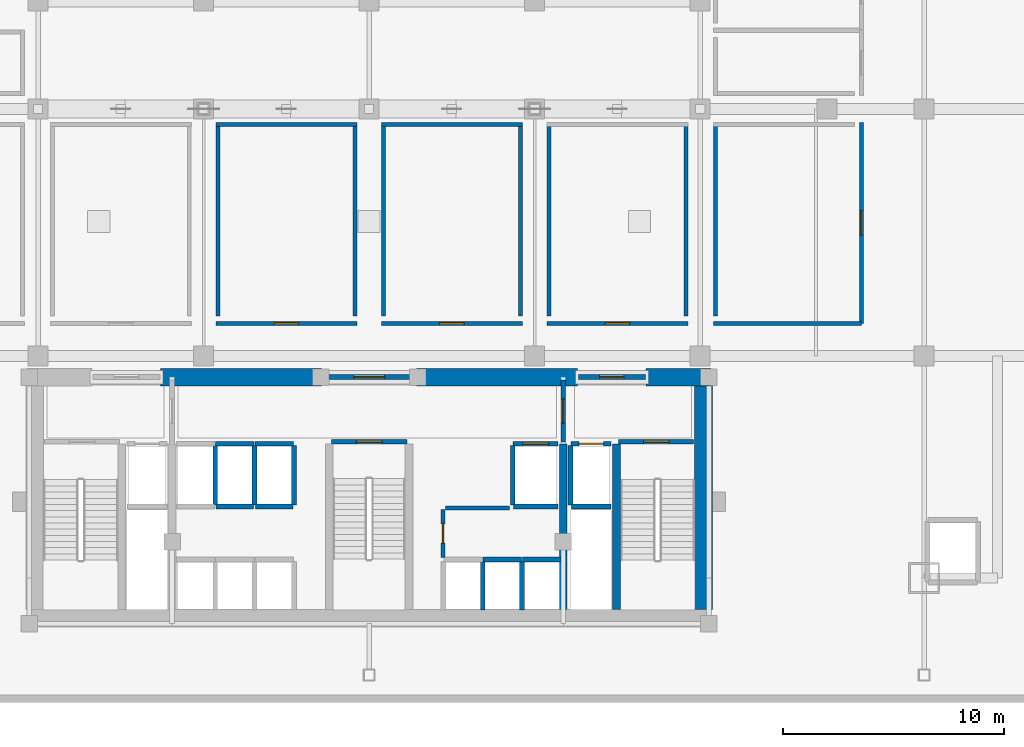
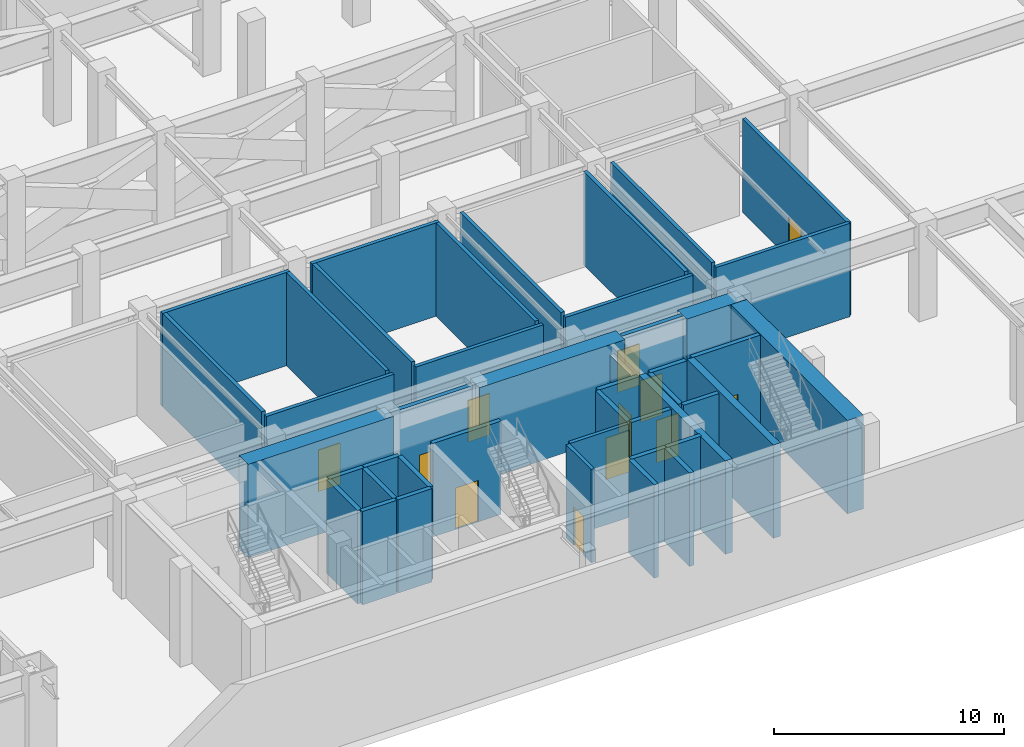
# One storey, part 9 of 14: 44 walls, 12 doors, 12 openings.
"""IFC4 building model written with IfcOpenShell, lengths in metres."""

from ifc_helpers import new_model, si_unit, direction, frame, frame_2d, origin, place, context, subcontext, project, spatial, rectangle, extrude, material, layer, layer_set, type_object, element, fill, save


model = new_model("IFC4")

# Units and contexts
model_context = context("Model", 3, precision=1e-05, world=origin(), true_north=direction((0.0, 1.0)))
body_context = subcontext(model_context, "Body", "Model", "MODEL_VIEW")
ifc_project = project(units=[si_unit("LENGTHUNIT", "METRE"), si_unit("AREAUNIT", "SQUARE_METRE"), si_unit("VOLUMEUNIT", "CUBIC_METRE"), si_unit("PLANEANGLEUNIT", "RADIAN"), si_unit("MASSUNIT", "GRAM", prefix="KILO")], contexts=[model_context])

# Site, building, storey
site_placement = place(None, origin())
site = spatial("IfcSite", under=ifc_project, at=site_placement, CompositionType="ELEMENT")
building_placement = place(site_placement, origin())
building = spatial("IfcBuilding", under=site, at=building_placement, Name="Ventersveld Concourse Tower", CompositionType="ELEMENT")
storey_placement = place(building_placement, frame((0.0, 0.0, 24.60009765625)))
storey = spatial("IfcBuildingStorey", under=building, at=storey_placement, Name="L05", CompositionType="ELEMENT", Elevation=24.60009765625)

# Walls
ifc_material_1 = material(Name="Concrete C60/75", Category="concrete")
ifc_layer_1 = layer(ifc_material_1, 0.35009765625)
ifc_layer_set_1 = layer_set([ifc_layer_1], Name="Concrete C60/75")
wall_type_1 = type_object("IfcWallType", Name="WL-CORE-350L", PredefinedType="SHEAR", material=ifc_layer_set_1)
for number, where, z_axis, x_axis, name in (
    (1, (37.550048828125, 0.919921875, 0.0), (0.0, 0.0, 1.0), (0.0, 1.0, 0.0), "L05 Core Internal Shear Web W-SVL-W"),
    (2, (39.9599609375, 0.919921875, 0.0), (0.0, 0.0, 1.0), (0.0, 1.0, 0.0), "L05 Core Internal Shear Web W-ST2-W"),
):
    element("IfcWall", number, at=place(storey_placement, frame(where, z_axis=z_axis, x_axis=x_axis)), inside=storey, type_object=wall_type_1, Name=name, PredefinedType="SHEAR", context=body_context, shape_type="SweptSolid", body=[
        extrude(rectangle(XDim=7.5, YDim=0.35009765625, at=frame_2d((3.75, 0.0))), origin(), (0.0, 0.0, 1.0), 4.949951171875),
    ])
ifc_layer_2 = layer(ifc_material_1, 0.800048828125)
ifc_layer_set_2 = layer_set([ifc_layer_2], Name="Concrete C60/75")
wall_type_2 = type_object("IfcWallType", Name="WL-CORE-800", PredefinedType="SHEAR", material=ifc_layer_set_2)
wall_1_placement = place(storey_placement, frame((43.89990234375, 0.919921875, 0.0), z_axis=(0.0, 0.0, 1.0), x_axis=(0.0, 1.0, 0.0)))
element("IfcWall", 3, at=wall_1_placement, inside=storey, type_object=wall_type_2, Name="L05 Rear Core East Shear Wall", PredefinedType="SHEAR", context=body_context, shape_type="SweptSolid", body=[
    extrude(rectangle(XDim=10.530029296875, YDim=0.800048828125, at=frame_2d((5.26513671875, 0.0))), origin(), (0.0, 0.0, 1.0), 4.949951171875),
])
for number, where, z_axis, x_axis, name in (
    (4, (19.300048828125, 11.449951171875, 0.0), (0.0, 0.0, 1.0), (1.0, 0.0, 0.0), "L05 Rear Core North Shear Wall NML"),
    (5, (30.89990234375, 11.449951171875, 0.0), (0.0, 0.0, 1.0), (1.0, 0.0, 0.0), "L05 Rear Core North Shear Wall NMR"),
):
    element("IfcWall", number, at=place(storey_placement, frame(where, z_axis=z_axis, x_axis=x_axis)), inside=storey, type_object=wall_type_2, Name=name, PredefinedType="SHEAR", context=body_context, shape_type="SweptSolid", body=[
        extrude(rectangle(XDim=7.300048828125, YDim=0.800048828125, at=frame_2d((3.64990234375, 0.0))), origin(), (0.0, 0.0, 1.0), 4.949951171875),
    ])
wall_2_placement = place(storey_placement, frame((41.300048828125, 11.449951171875, 0.0), z_axis=(0.0, 0.0, 1.0), x_axis=(1.0, 0.0, 0.0)))
element("IfcWall", 6, at=wall_2_placement, inside=storey, type_object=wall_type_2, Name="L05 Rear Core North Shear Wall NE", PredefinedType="SHEAR", context=body_context, shape_type="SweptSolid", body=[
    extrude(rectangle(XDim=2.949951171875, YDim=0.800048828125, at=frame_2d((1.47509765625, 0.0))), origin(), (0.0, 0.0, 1.0), 4.949951171875),
])

# Wall, opening, door
ifc_material_2 = material(Name="Fire-rated autoclaved aerated masonry blockwork", Category="masonry")
ifc_layer_3 = layer(ifc_material_2, 0.179931640625)
ifc_layer_set_3 = layer_set([ifc_layer_3], Name="Fire-rated autoclaved aerated masonry blockwork")
wall_type_3 = type_object("IfcWallType", Name="WL-CORR-180", PredefinedType="PARTITIONING", material=ifc_layer_set_3)
wall_3_placement = place(storey_placement, frame((32.10009765625, 3.280029296875, 0.0), z_axis=(0.0, 0.0, 1.0), x_axis=(0.0, 1.0, 0.0)))
wall_3 = element("IfcWall", 7, at=wall_3_placement, inside=storey, type_object=wall_type_3, Name="L05 Core Passage Wall SP-L05-CBAY2", PredefinedType="PARTITIONING", context=body_context, shape_type="SweptSolid", body=[
    extrude(rectangle(XDim=2.169921875, YDim=0.179931640625, at=frame_2d((1.0849609375, 0.0))), origin(), (0.0, 0.0, 1.0), 4.949951171875),
])
opening_1_placement = place(wall_3_placement, frame((0.64501953125, 0.0, 0.0)))
opening_1 = element("IfcOpeningElement", 8, at=opening_1_placement, cuts=wall_3, Name="Opening FD5", PredefinedType="OPENING", context=body_context, shape_type="SweptSolid", body=[
    extrude(rectangle(XDim=0.8798828125, YDim=2.050048828125, at=frame_2d((0.43994140625, 1.02490234375))), frame((0.0, 0.10009765625, 0.0), z_axis=(0.0, -1.0, 0.0), x_axis=(1.0, 0.0, 0.0)), (0.0, 0.0, 1.0), 0.199951171875),
])
ifc_material_3 = material(Name="Galvanised painted steel", Category="steel")
door_type_1 = type_object("IfcDoorType", Name="DR-RISER-088", OperationType="NOTDEFINED", PredefinedType="DOOR", material=ifc_material_3)
door_1_placement = place(opening_1_placement, origin())
door_1 = element("IfcDoor", 9, at=door_1_placement, inside=storey, type_object=door_type_1, Name="L05 Core Room Door L05 Core Parcel and Mail Store (CD-L05-0163)", OperationType="SINGLE_SWING_RIGHT", OverallHeight=2.050048828125, OverallWidth=0.8798828125, PredefinedType="DOOR", context=body_context, shape_type="SweptSolid", body=[
    extrude(rectangle(XDim=0.8798828125, YDim=2.050048828125, at=frame_2d((0.43994140625, 1.02490234375))), frame((0.0, 0.02490234375, 0.0), z_axis=(0.0, -1.0, 0.0), x_axis=(1.0, 0.0, 0.0)), (0.0, 0.0, 1.0), 0.050048828125),
])
fill(opening_1, door_1)

# Wall
wall_4_placement = place(storey_placement, frame((32.219970703125, 5.530029296875, 0.0), z_axis=(0.0, 0.0, 1.0), x_axis=(1.0, 0.0, 0.0)))
element("IfcWall", 10, at=wall_4_placement, inside=storey, type_object=wall_type_3, Name="L05 Core Top Wall SP-L05-CBAY2", PredefinedType="PARTITIONING", context=body_context, shape_type="SweptSolid", body=[
    extrude(rectangle(XDim=2.900146484375, YDim=0.179931640625, at=frame_2d((1.4501953125, 0.0))), origin(), (0.0, 0.0, 1.0), 4.949951171875),
])

# Wall, opening, door
wall_5_placement = place(storey_placement, frame((21.804931640625, 13.889892578125, 0.0), z_axis=(0.0, 0.0, 1.0), x_axis=(1.0, 0.0, 0.0)))
wall_5 = element("IfcWall", 11, at=wall_5_placement, inside=storey, type_object=wall_type_3, Name="L05 Interior Partition SP-L05-PCOR-SP-L05-REF-3", PredefinedType="PARTITIONING", context=body_context, shape_type="SweptSolid", body=[
    extrude(rectangle(XDim=6.39013671875, YDim=0.179931640625, at=frame_2d((3.195068359375, 0.0))), origin(), (0.0, 0.0, 1.0), 4.949951171875),
])
opening_2_placement = place(wall_5_placement, frame((2.64501953125, 0.0, 0.0)))
opening_2 = element("IfcOpeningElement", 12, at=opening_2_placement, cuts=wall_5, Name="Opening FD2", PredefinedType="OPENING", context=body_context, shape_type="SweptSolid", body=[
    extrude(rectangle(XDim=1.10009765625, YDim=2.199951171875, at=frame_2d((0.550048828125, 1.10009765625))), frame((0.0, 0.10009765625, 0.0), z_axis=(0.0, -1.0, 0.0), x_axis=(1.0, 0.0, 0.0)), (0.0, 0.0, 1.0), 0.199951171875),
])
door_type_2 = type_object("IfcDoorType", Name="DR-FFL-110", OperationType="NOTDEFINED", PredefinedType="DOOR", material=ifc_material_3)
door_2_placement = place(opening_2_placement, origin())
door_2 = element("IfcDoor", 13, at=door_2_placement, inside=storey, type_object=door_type_2, Name="L05 Interior Door SP-L05-PCOR to SP-L05-REF-3 (FD-L05-0166)", OperationType="SINGLE_SWING_RIGHT", OverallHeight=2.199951171875, OverallWidth=1.10009765625, PredefinedType="DOOR", context=body_context, shape_type="SweptSolid", body=[
    extrude(rectangle(XDim=1.10009765625, YDim=2.199951171875, at=frame_2d((0.550048828125, 1.10009765625))), frame((0.0, 0.02490234375, 0.0), z_axis=(0.0, -1.0, 0.0), x_axis=(1.0, 0.0, 0.0)), (0.0, 0.0, 1.0), 0.050048828125),
])
fill(opening_2, door_2)

wall_6_placement = place(storey_placement, frame((29.304931640625, 13.889892578125, 0.0), z_axis=(0.0, 0.0, 1.0), x_axis=(1.0, 0.0, 0.0)))
wall_6 = element("IfcWall", 14, at=wall_6_placement, inside=storey, type_object=wall_type_3, Name="L05 Interior Partition SP-L05-PCOR-SP-L05-REF-4", PredefinedType="PARTITIONING", context=body_context, shape_type="SweptSolid", body=[
    extrude(rectangle(XDim=6.39013671875, YDim=0.179931640625, at=frame_2d((3.195068359375, 0.0))), origin(), (0.0, 0.0, 1.0), 4.949951171875),
])
opening_3_placement = place(wall_6_placement, frame((2.64501953125, 0.0, 0.0)))
opening_3 = element("IfcOpeningElement", 15, at=opening_3_placement, cuts=wall_6, Name="Opening FD2", PredefinedType="OPENING", context=body_context, shape_type="SweptSolid", body=[
    extrude(rectangle(XDim=1.10009765625, YDim=2.199951171875, at=frame_2d((0.550048828125, 1.10009765625))), frame((0.0, 0.10009765625, 0.0), z_axis=(0.0, -1.0, 0.0), x_axis=(1.0, 0.0, 0.0)), (0.0, 0.0, 1.0), 0.199951171875),
])
door_3_placement = place(opening_3_placement, origin())
door_3 = element("IfcDoor", 16, at=door_3_placement, inside=storey, type_object=door_type_2, Name="L05 Interior Door SP-L05-PCOR to SP-L05-REF-4 (FD-L05-0167)", OperationType="SINGLE_SWING_LEFT", OverallHeight=2.199951171875, OverallWidth=1.10009765625, PredefinedType="DOOR", context=body_context, shape_type="SweptSolid", body=[
    extrude(rectangle(XDim=1.10009765625, YDim=2.199951171875, at=frame_2d((0.550048828125, 1.10009765625))), frame((0.0, 0.02490234375, 0.0), z_axis=(0.0, -1.0, 0.0), x_axis=(1.0, 0.0, 0.0)), (0.0, 0.0, 1.0), 0.050048828125),
])
fill(opening_3, door_3)

wall_7_placement = place(storey_placement, frame((36.804931640625, 13.889892578125, 0.0), z_axis=(0.0, 0.0, 1.0), x_axis=(1.0, 0.0, 0.0)))
wall_7 = element("IfcWall", 17, at=wall_7_placement, inside=storey, type_object=wall_type_3, Name="L05 Interior Partition SP-L05-PCOR-SP-L05-REF-5", PredefinedType="PARTITIONING", context=body_context, shape_type="SweptSolid", body=[
    extrude(rectangle(XDim=6.39013671875, YDim=0.179931640625, at=frame_2d((3.195068359375, 0.0))), origin(), (0.0, 0.0, 1.0), 4.949951171875),
])
opening_4_placement = place(wall_7_placement, frame((2.64501953125, 0.0, 0.0)))
opening_4 = element("IfcOpeningElement", 18, at=opening_4_placement, cuts=wall_7, Name="Opening FD2", PredefinedType="OPENING", context=body_context, shape_type="SweptSolid", body=[
    extrude(rectangle(XDim=1.10009765625, YDim=2.199951171875, at=frame_2d((0.550048828125, 1.10009765625))), frame((0.0, 0.10009765625, 0.0), z_axis=(0.0, -1.0, 0.0), x_axis=(1.0, 0.0, 0.0)), (0.0, 0.0, 1.0), 0.199951171875),
])
door_4_placement = place(opening_4_placement, origin())
door_4 = element("IfcDoor", 19, at=door_4_placement, inside=storey, type_object=door_type_2, Name="L05 Interior Door SP-L05-PCOR to SP-L05-REF-5 (FD-L05-0168)", OperationType="SINGLE_SWING_RIGHT", OverallHeight=2.199951171875, OverallWidth=1.10009765625, PredefinedType="DOOR", context=body_context, shape_type="SweptSolid", body=[
    extrude(rectangle(XDim=1.10009765625, YDim=2.199951171875, at=frame_2d((0.550048828125, 1.10009765625))), frame((0.0, 0.02490234375, 0.0), z_axis=(0.0, -1.0, 0.0), x_axis=(1.0, 0.0, 0.0)), (0.0, 0.0, 1.0), 0.050048828125),
])
fill(opening_4, door_4)

wall_8_placement = place(storey_placement, frame((51.06005859375, 13.885009765625, 0.0), z_axis=(0.0, 0.0, 1.0), x_axis=(0.0, 1.0, 0.0)))
wall_8 = element("IfcWall", 20, at=wall_8_placement, inside=storey, type_object=wall_type_3, Name="L05 Interior Partition SP-L05-PCOR-SP-L05-REF-6", PredefinedType="PARTITIONING", context=body_context, shape_type="SweptSolid", body=[
    extrude(rectangle(XDim=9.110107421875, YDim=0.179931640625, at=frame_2d((4.55517578125, 0.0))), origin(), (0.0, 0.0, 1.0), 4.949951171875),
])
opening_5_placement = place(wall_8_placement, frame((4.0048828125, 0.0, 0.0)))
opening_5 = element("IfcOpeningElement", 21, at=opening_5_placement, cuts=wall_8, Name="Opening FD2", PredefinedType="OPENING", context=body_context, shape_type="SweptSolid", body=[
    extrude(rectangle(XDim=1.10009765625, YDim=2.199951171875, at=frame_2d((0.550048828125, 1.10009765625))), frame((0.0, 0.10009765625, 0.0), z_axis=(0.0, -1.0, 0.0), x_axis=(1.0, 0.0, 0.0)), (0.0, 0.0, 1.0), 0.199951171875),
])
door_5_placement = place(opening_5_placement, origin())
door_5 = element("IfcDoor", 22, at=door_5_placement, inside=storey, type_object=door_type_2, Name="L05 Interior Door SP-L05-PCOR to SP-L05-REF-6 (FD-L05-0169)", OperationType="SINGLE_SWING_LEFT", OverallHeight=2.199951171875, OverallWidth=1.10009765625, PredefinedType="DOOR", context=body_context, shape_type="SweptSolid", body=[
    extrude(rectangle(XDim=1.10009765625, YDim=2.199951171875, at=frame_2d((0.550048828125, 1.10009765625))), frame((0.0, 0.02490234375, 0.0), z_axis=(0.0, -1.0, 0.0), x_axis=(1.0, 0.0, 0.0)), (0.0, 0.0, 1.0), 0.050048828125),
])
fill(opening_5, door_5)

# Walls
wall_9_placement = place(storey_placement, frame((44.35498046875, 13.889892578125, 0.0), z_axis=(0.0, 0.0, 1.0), x_axis=(1.0, 0.0, 0.0)))
element("IfcWall", 23, at=wall_9_placement, inside=storey, type_object=wall_type_3, Name="L05 Interior Partition SP-L05-PCOR-SP-L05-REF-6", PredefinedType="PARTITIONING", context=body_context, shape_type="SweptSolid", body=[
    extrude(rectangle(XDim=6.7099609375, YDim=0.179931640625, at=frame_2d((3.35498046875, 0.0))), origin(), (0.0, 0.0, 1.0), 4.949951171875),
])
wall_10_placement = place(storey_placement, frame((28.10009765625, 14.215087890625, 0.0), z_axis=(0.0, 0.0, 1.0), x_axis=(0.0, 1.0, 0.0)))
element("IfcWall", 24, at=wall_10_placement, inside=storey, type_object=wall_type_3, Name="L05 Room Enclosure Wall SP-L05-REF-3", PredefinedType="PARTITIONING", context=body_context, shape_type="SweptSolid", body=[
    extrude(rectangle(XDim=8.780029296875, YDim=0.179931640625, at=frame_2d((4.39013671875, 0.0))), origin(), (0.0, 0.0, 1.0), 4.949951171875),
])
wall_11_placement = place(storey_placement, frame((28.195068359375, 22.89990234375, 0.0), z_axis=(0.0, 0.0, 1.0), x_axis=(-1.0, 0.0, 0.0)))
element("IfcWall", 25, at=wall_11_placement, inside=storey, type_object=wall_type_3, Name="L05 Room Enclosure Wall SP-L05-REF-3", PredefinedType="PARTITIONING", context=body_context, shape_type="SweptSolid", body=[
    extrude(rectangle(XDim=6.39013671875, YDim=0.179931640625, at=frame_2d((3.195068359375, 0.0))), origin(), (0.0, 0.0, 1.0), 4.949951171875),
])
for number, where, z_axis, x_axis, name in (
    (26, (21.89990234375, 22.9951171875, 0.0), (0.0, 0.0, 1.0), (0.0, -1.0, 0.0), "L05 Room Enclosure Wall SP-L05-REF-3"),
    (27, (35.60009765625, 14.215087890625, 0.0), (0.0, 0.0, 1.0), (0.0, 1.0, 0.0), "L05 Room Enclosure Wall SP-L05-REF-4"),
):
    element("IfcWall", number, at=place(storey_placement, frame(where, z_axis=z_axis, x_axis=x_axis)), inside=storey, type_object=wall_type_3, Name=name, PredefinedType="PARTITIONING", context=body_context, shape_type="SweptSolid", body=[
        extrude(rectangle(XDim=8.780029296875, YDim=0.179931640625, at=frame_2d((4.39013671875, 0.0))), origin(), (0.0, 0.0, 1.0), 4.949951171875),
    ])
wall_12_placement = place(storey_placement, frame((35.695068359375, 22.89990234375, 0.0), z_axis=(0.0, 0.0, 1.0), x_axis=(-1.0, 0.0, 0.0)))
element("IfcWall", 28, at=wall_12_placement, inside=storey, type_object=wall_type_3, Name="L05 Room Enclosure Wall SP-L05-REF-4", PredefinedType="PARTITIONING", context=body_context, shape_type="SweptSolid", body=[
    extrude(rectangle(XDim=6.39013671875, YDim=0.179931640625, at=frame_2d((3.195068359375, 0.0))), origin(), (0.0, 0.0, 1.0), 4.949951171875),
])
for number, where, z_axis, x_axis, name in (
    (29, (29.39990234375, 22.9951171875, 0.0), (0.0, 0.0, 1.0), (0.0, -1.0, 0.0), "L05 Room Enclosure Wall SP-L05-REF-4"),
    (30, (43.10009765625, 14.215087890625, 0.0), (0.0, 0.0, 1.0), (0.0, 1.0, 0.0), "L05 Room Enclosure Wall SP-L05-REF-5"),
    (31, (36.89990234375, 22.9951171875, 0.0), (0.0, 0.0, 1.0), (0.0, -1.0, 0.0), "L05 Room Enclosure Wall SP-L05-REF-5"),
    (32, (44.449951171875, 22.9951171875, 0.0), (0.0, 0.0, 1.0), (0.0, -1.0, 0.0), "L05 Room Enclosure Wall SP-L05-REF-6"),
):
    element("IfcWall", number, at=place(storey_placement, frame(where, z_axis=z_axis, x_axis=x_axis)), inside=storey, type_object=wall_type_3, Name=name, PredefinedType="PARTITIONING", context=body_context, shape_type="SweptSolid", body=[
        extrude(rectangle(XDim=8.780029296875, YDim=0.179931640625, at=frame_2d((4.39013671875, 0.0))), origin(), (0.0, 0.0, 1.0), 4.949951171875),
    ])
ifc_layer_4 = layer(ifc_material_2, 0.219970703125)
ifc_layer_set_4 = layer_set([ifc_layer_4], Name="Fire-rated autoclaved aerated masonry blockwork")
wall_type_4 = type_object("IfcWallType", Name="WL-HOIST-220", PredefinedType="SOLIDWALL", material=ifc_layer_set_4)
wall_13_placement = place(storey_placement, frame((37.919921875, 5.590087890625, 0.0), z_axis=(0.0, 0.0, 1.0), x_axis=(1.0, 0.0, 0.0)))
element("IfcWall", 33, at=wall_13_placement, inside=storey, type_object=wall_type_4, Name="L05 Lift Hoistway Back Wall FFL-02", PredefinedType="SOLIDWALL", context=body_context, shape_type="SweptSolid", body=[
    extrude(rectangle(XDim=1.780029296875, YDim=0.219970703125, at=frame_2d((0.89013671875, 0.0))), origin(), (0.0, 0.0, 1.0), 4.949951171875),
])
wall_14_placement = place(storey_placement, frame((37.8798828125, 5.64990234375, 0.0), z_axis=(0.0, 0.0, 1.0), x_axis=(0.0, 1.0, 0.0)))
element("IfcWall", 34, at=wall_14_placement, inside=storey, type_object=wall_type_4, Name="L05 Lift Hoistway Side Wall FFL-02W", PredefinedType="SOLIDWALL", context=body_context, shape_type="SweptSolid", body=[
    extrude(rectangle(XDim=2.7001953125, YDim=0.219970703125, at=frame_2d((1.35009765625, 0.0))), origin(), (0.0, 0.0, 1.0), 4.949951171875),
])

# Wall, opening, door
wall_15_placement = place(storey_placement, frame((37.89990234375, 8.429931640625, 0.0), z_axis=(0.0, 0.0, 1.0), x_axis=(1.0, 0.0, 0.0)))
wall_15 = element("IfcWall", 35, at=wall_15_placement, inside=storey, type_object=wall_type_4, Name="L05 Lift Hoistway Front Wall FFL-02", PredefinedType="SOLIDWALL", context=body_context, shape_type="SweptSolid", body=[
    extrude(rectangle(XDim=1.820068359375, YDim=0.219970703125, at=frame_2d((0.91015625, 0.0))), origin(), (0.0, 0.0, 1.0), 4.949951171875),
])
opening_6_placement = place(wall_15_placement, frame((0.35009765625, 0.0, 0.0)))
opening_6 = element("IfcOpeningElement", 36, at=opening_6_placement, cuts=wall_15, Name="Opening LD1", PredefinedType="OPENING", context=body_context, shape_type="SweptSolid", body=[
    extrude(rectangle(XDim=1.1201171875, YDim=2.25, at=frame_2d((0.56005859375, 1.125))), frame((0.0, 0.1201171875, 0.0), z_axis=(0.0, -1.0, 0.0), x_axis=(1.0, 0.0, 0.0)), (0.0, 0.0, 1.0), 0.239990234375),
])
ifc_material_4 = material(Name="Brushed stainless steel 316", Category="steel")
door_type_3 = type_object("IfcDoorType", Name="LD-FF-112", OperationType="SLIDING_TO_LEFT", PredefinedType="DOOR", material=ifc_material_4)
door_6_placement = place(opening_6_placement, origin())
door_6 = element("IfcDoor", 37, at=door_6_placement, inside=storey, type_object=door_type_3, Name="L05 Lift landing door FFL-02 (LD-L05-FFL-02)", OperationType="SLIDING_TO_LEFT", OverallHeight=2.25, OverallWidth=1.1201171875, PredefinedType="DOOR", context=body_context, shape_type="SweptSolid", body=[
    extrude(rectangle(XDim=1.1201171875, YDim=2.25, at=frame_2d((0.56005859375, 1.125))), frame((0.0, 0.02490234375, 0.0), z_axis=(0.0, -1.0, 0.0), x_axis=(1.0, 0.0, 0.0)), (0.0, 0.0, 1.0), 0.050048828125),
])
fill(opening_6, door_6)

# Walls
wall_16_placement = place(storey_placement, frame((35.300048828125, 5.590087890625, 0.0), z_axis=(0.0, 0.0, 1.0), x_axis=(1.0, 0.0, 0.0)))
element("IfcWall", 38, at=wall_16_placement, inside=storey, type_object=wall_type_4, Name="L05 Lift Hoistway Back Wall SVL-01", PredefinedType="SOLIDWALL", context=body_context, shape_type="SweptSolid", body=[
    extrude(rectangle(XDim=2.0, YDim=0.219970703125, at=frame_2d((1.0, 0.0))), origin(), (0.0, 0.0, 1.0), 4.949951171875),
])
wall_17_placement = place(storey_placement, frame((35.260009765625, 5.64990234375, 0.0), z_axis=(0.0, 0.0, 1.0), x_axis=(0.0, 1.0, 0.0)))
element("IfcWall", 39, at=wall_17_placement, inside=storey, type_object=wall_type_4, Name="L05 Lift Hoistway Side Wall SVL-01W", PredefinedType="SOLIDWALL", context=body_context, shape_type="SweptSolid", body=[
    extrude(rectangle(XDim=2.7001953125, YDim=0.219970703125, at=frame_2d((1.35009765625, 0.0))), origin(), (0.0, 0.0, 1.0), 4.949951171875),
])

# Wall, opening, door
wall_18_placement = place(storey_placement, frame((35.280029296875, 8.429931640625, 0.0), z_axis=(0.0, 0.0, 1.0), x_axis=(1.0, 0.0, 0.0)))
wall_18 = element("IfcWall", 40, at=wall_18_placement, inside=storey, type_object=wall_type_4, Name="L05 Lift Hoistway Front Wall SVL-01", PredefinedType="SOLIDWALL", context=body_context, shape_type="SweptSolid", body=[
    extrude(rectangle(XDim=2.0400390625, YDim=0.219970703125, at=frame_2d((1.02001953125, 0.0))), origin(), (0.0, 0.0, 1.0), 4.949951171875),
])
opening_7_placement = place(wall_18_placement, frame((0.429931640625, 0.0, 0.0)))
opening_7 = element("IfcOpeningElement", 41, at=opening_7_placement, cuts=wall_18, Name="Opening LD2", PredefinedType="OPENING", context=body_context, shape_type="SweptSolid", body=[
    extrude(rectangle(XDim=1.179931640625, YDim=2.199951171875, at=frame_2d((0.58984375, 1.10009765625))), frame((0.0, 0.1201171875, 0.0), z_axis=(0.0, -1.0, 0.0), x_axis=(1.0, 0.0, 0.0)), (0.0, 0.0, 1.0), 0.239990234375),
])
door_type_4 = type_object("IfcDoorType", Name="LD-PAX-118", OperationType="SLIDING_TO_LEFT", PredefinedType="DOOR", material=ifc_material_4)
door_7_placement = place(opening_7_placement, origin())
door_7 = element("IfcDoor", 42, at=door_7_placement, inside=storey, type_object=door_type_4, Name="L05 Lift landing door SVL-01 (LD-L05-SVL-01)", OperationType="SLIDING_TO_RIGHT", OverallHeight=2.199951171875, OverallWidth=1.179931640625, PredefinedType="DOOR", context=body_context, shape_type="SweptSolid", body=[
    extrude(rectangle(XDim=1.179931640625, YDim=2.199951171875, at=frame_2d((0.58984375, 1.10009765625))), frame((0.0, 0.02490234375, 0.0), z_axis=(0.0, -1.0, 0.0), x_axis=(1.0, 0.0, 0.0)), (0.0, 0.0, 1.0), 0.050048828125),
])
fill(opening_7, door_7)

# Walls
for number, where, z_axis, x_axis, name in (
    (43, (33.89990234375, 0.89990234375, 0.0), (0.0, 0.0, 1.0), (0.0, 1.0, 0.0), "L05 Lift Hoistway Side Wall PM-01E"),
    (44, (35.679931640625, 0.89990234375, 0.0), (0.0, 0.0, 1.0), (0.0, 1.0, 0.0), "L05 Lift Hoistway Side Wall PM-02E"),
):
    element("IfcWall", number, at=place(storey_placement, frame(where, z_axis=z_axis, x_axis=x_axis)), inside=storey, type_object=wall_type_4, Name=name, PredefinedType="SOLIDWALL", context=body_context, shape_type="SweptSolid", body=[
        extrude(rectangle(XDim=2.2001953125, YDim=0.219970703125, at=frame_2d((1.10009765625, 0.0))), origin(), (0.0, 0.0, 1.0), 4.949951171875),
    ])
for number, where, z_axis, x_axis, name in (
    (45, (33.919921875, 3.179931640625, 0.0), (0.0, 0.0, 1.0), (1.0, 0.0, 0.0), "L05 Lift Hoistway Front Wall PM-02"),
    (46, (35.699951171875, 3.179931640625, 0.0), (0.0, 0.0, 1.0), (1.0, 0.0, 0.0), "L05 Lift Hoistway Front Wall PM-03"),
):
    element("IfcWall", number, at=place(storey_placement, frame(where, z_axis=z_axis, x_axis=x_axis)), inside=storey, type_object=wall_type_4, Name=name, PredefinedType="SOLIDWALL", context=body_context, shape_type="SweptSolid", body=[
        extrude(rectangle(XDim=1.739990234375, YDim=0.219970703125, at=frame_2d((0.8701171875, 0.0))), origin(), (0.0, 0.0, 1.0), 4.949951171875),
    ])
wall_19_placement = place(storey_placement, frame((21.780029296875, 5.64990234375, 0.0), z_axis=(0.0, 0.0, 1.0), x_axis=(0.0, 1.0, 0.0)))
element("IfcWall", 47, at=wall_19_placement, inside=storey, type_object=wall_type_4, Name="L05 Lift Hoistway Side Wall PH-01E", PredefinedType="SOLIDWALL", context=body_context, shape_type="SweptSolid", body=[
    extrude(rectangle(XDim=2.7001953125, YDim=0.219970703125, at=frame_2d((1.35009765625, 0.0))), origin(), (0.0, 0.0, 1.0), 4.949951171875),
])
wall_20_placement = place(storey_placement, frame((21.820068359375, 5.590087890625, 0.0), z_axis=(0.0, 0.0, 1.0), x_axis=(1.0, 0.0, 0.0)))
element("IfcWall", 48, at=wall_20_placement, inside=storey, type_object=wall_type_4, Name="L05 Lift Hoistway Back Wall PH-02", PredefinedType="SOLIDWALL", context=body_context, shape_type="SweptSolid", body=[
    extrude(rectangle(XDim=1.699951171875, YDim=0.219970703125, at=frame_2d((0.85009765625, 0.0))), origin(), (0.0, 0.0, 1.0), 4.949951171875),
])
wall_21_placement = place(storey_placement, frame((23.56005859375, 5.64990234375, 0.0), z_axis=(0.0, 0.0, 1.0), x_axis=(0.0, 1.0, 0.0)))
element("IfcWall", 49, at=wall_21_placement, inside=storey, type_object=wall_type_4, Name="L05 Lift Hoistway Side Wall PH-02E", PredefinedType="SOLIDWALL", context=body_context, shape_type="SweptSolid", body=[
    extrude(rectangle(XDim=2.7001953125, YDim=0.219970703125, at=frame_2d((1.35009765625, 0.0))), origin(), (0.0, 0.0, 1.0), 4.949951171875),
])
wall_22_placement = place(storey_placement, frame((21.800048828125, 8.429931640625, 0.0), z_axis=(0.0, 0.0, 1.0), x_axis=(1.0, 0.0, 0.0)))
element("IfcWall", 50, at=wall_22_placement, inside=storey, type_object=wall_type_4, Name="L05 Lift Hoistway Front Wall PH-02", PredefinedType="SOLIDWALL", context=body_context, shape_type="SweptSolid", body=[
    extrude(rectangle(XDim=1.739990234375, YDim=0.219970703125, at=frame_2d((0.8701171875, 0.0))), origin(), (0.0, 0.0, 1.0), 4.949951171875),
])
wall_23_placement = place(storey_placement, frame((23.60009765625, 5.590087890625, 0.0), z_axis=(0.0, 0.0, 1.0), x_axis=(1.0, 0.0, 0.0)))
element("IfcWall", 51, at=wall_23_placement, inside=storey, type_object=wall_type_4, Name="L05 Lift Hoistway Back Wall PH-03", PredefinedType="SOLIDWALL", context=body_context, shape_type="SweptSolid", body=[
    extrude(rectangle(XDim=1.699951171875, YDim=0.219970703125, at=frame_2d((0.85009765625, 0.0))), origin(), (0.0, 0.0, 1.0), 4.949951171875),
])
wall_24_placement = place(storey_placement, frame((25.340087890625, 5.64990234375, 0.0), z_axis=(0.0, 0.0, 1.0), x_axis=(0.0, 1.0, 0.0)))
element("IfcWall", 52, at=wall_24_placement, inside=storey, type_object=wall_type_4, Name="L05 Lift Hoistway Side Wall PH-03E", PredefinedType="SOLIDWALL", context=body_context, shape_type="SweptSolid", body=[
    extrude(rectangle(XDim=2.7001953125, YDim=0.219970703125, at=frame_2d((1.35009765625, 0.0))), origin(), (0.0, 0.0, 1.0), 4.949951171875),
])
wall_25_placement = place(storey_placement, frame((23.580078125, 8.429931640625, 0.0), z_axis=(0.0, 0.0, 1.0), x_axis=(1.0, 0.0, 0.0)))
element("IfcWall", 53, at=wall_25_placement, inside=storey, type_object=wall_type_4, Name="L05 Lift Hoistway Front Wall PH-03", PredefinedType="SOLIDWALL", context=body_context, shape_type="SweptSolid", body=[
    extrude(rectangle(XDim=1.739990234375, YDim=0.219970703125, at=frame_2d((0.8701171875, 0.0))), origin(), (0.0, 0.0, 1.0), 4.949951171875),
])

# Wall, opening, door
wall_26_placement = place(storey_placement, frame((40.06005859375, 8.52001953125, 0.0), z_axis=(0.0, 0.0, 1.0), x_axis=(1.0, 0.0, 0.0)))
wall_26 = element("IfcWall", 54, at=wall_26_placement, inside=storey, type_object=wall_type_4, Name="L05 Escape Stair ST02 Fire Wall", PredefinedType="SOLIDWALL", context=body_context, shape_type="SweptSolid", body=[
    extrude(rectangle(XDim=3.39990234375, YDim=0.219970703125, at=frame_2d((1.699951171875, 0.0))), origin(), (0.0, 0.0, 1.0), 4.949951171875),
])
opening_8_placement = place(wall_26_placement, frame((1.125, 0.0, 0.0)))
opening_8 = element("IfcOpeningElement", 55, at=opening_8_placement, cuts=wall_26, Name="Opening FD1", PredefinedType="OPENING", context=body_context, shape_type="SweptSolid", body=[
    extrude(rectangle(XDim=1.14990234375, YDim=2.199951171875, at=frame_2d((0.574951171875, 1.10009765625))), frame((0.0, 0.1201171875, 0.0), z_axis=(0.0, -1.0, 0.0), x_axis=(1.0, 0.0, 0.0)), (0.0, 0.0, 1.0), 0.239990234375),
])
door_type_5 = type_object("IfcDoorType", Name="DR-STAIR-115", OperationType="NOTDEFINED", PredefinedType="DOOR", material=ifc_material_3)
door_8_placement = place(opening_8_placement, origin())
door_8 = element("IfcDoor", 56, at=door_8_placement, inside=storey, type_object=door_type_5, Name="L05 Escape Stair Door ST02 (SD-L05-0156)", OperationType="SINGLE_SWING_RIGHT", OverallHeight=2.199951171875, OverallWidth=1.14990234375, PredefinedType="DOOR", context=body_context, shape_type="SweptSolid", body=[
    extrude(rectangle(XDim=1.14990234375, YDim=2.199951171875, at=frame_2d((0.574951171875, 1.10009765625))), frame((0.0, 0.02490234375, 0.0), z_axis=(0.0, -1.0, 0.0), x_axis=(1.0, 0.0, 0.0)), (0.0, 0.0, 1.0), 0.050048828125),
])
fill(opening_8, door_8)

wall_27_placement = place(storey_placement, frame((27.0400390625, 8.52001953125, 0.0), z_axis=(0.0, 0.0, 1.0), x_axis=(1.0, 0.0, 0.0)))
wall_27 = element("IfcWall", 57, at=wall_27_placement, inside=storey, type_object=wall_type_4, Name="L05 Escape Stair ST03 Fire Wall", PredefinedType="SOLIDWALL", context=body_context, shape_type="SweptSolid", body=[
    extrude(rectangle(XDim=3.419921875, YDim=0.219970703125, at=frame_2d((1.7099609375, 0.0))), origin(), (0.0, 0.0, 1.0), 4.949951171875),
])
opening_9_placement = place(wall_27_placement, frame((1.135009765625, 0.0, 0.0)))
opening_9 = element("IfcOpeningElement", 58, at=opening_9_placement, cuts=wall_27, Name="Opening FD1", PredefinedType="OPENING", context=body_context, shape_type="SweptSolid", body=[
    extrude(rectangle(XDim=1.14990234375, YDim=2.199951171875, at=frame_2d((0.574951171875, 1.10009765625))), frame((0.0, 0.1201171875, 0.0), z_axis=(0.0, -1.0, 0.0), x_axis=(1.0, 0.0, 0.0)), (0.0, 0.0, 1.0), 0.239990234375),
])
door_9_placement = place(opening_9_placement, origin())
door_9 = element("IfcDoor", 59, at=door_9_placement, inside=storey, type_object=door_type_5, Name="L05 Escape Stair Door ST03 (SD-L05-0157)", OperationType="SINGLE_SWING_LEFT", OverallHeight=2.199951171875, OverallWidth=1.14990234375, PredefinedType="DOOR", context=body_context, shape_type="SweptSolid", body=[
    extrude(rectangle(XDim=1.14990234375, YDim=2.199951171875, at=frame_2d((0.574951171875, 1.10009765625))), frame((0.0, 0.02490234375, 0.0), z_axis=(0.0, -1.0, 0.0), x_axis=(1.0, 0.0, 0.0)), (0.0, 0.0, 1.0), 0.050048828125),
])
fill(opening_9, door_9)

wall_28_placement = place(storey_placement, frame((37.550048828125, 8.52001953125, 0.0), z_axis=(0.0, 0.0, 1.0), x_axis=(0.0, 1.0, 0.0)))
wall_28 = element("IfcWall", 60, at=wall_28_placement, inside=storey, type_object=wall_type_4, Name="L05 Firefighting Lobby Smoke-Stop Wall FFLE-SEP", PredefinedType="SOLIDWALL", context=body_context, shape_type="SweptSolid", body=[
    extrude(rectangle(XDim=2.800048828125, YDim=0.219970703125, at=frame_2d((1.39990234375, 0.0))), origin(), (0.0, 0.0, 1.0), 4.405517578125),
])
opening_10_placement = place(wall_28_placement, frame((0.85009765625, 0.0, 0.0)))
opening_10 = element("IfcOpeningElement", 61, at=opening_10_placement, cuts=wall_28, Name="Opening FD2", PredefinedType="OPENING", context=body_context, shape_type="SweptSolid", body=[
    extrude(rectangle(XDim=1.10009765625, YDim=2.199951171875, at=frame_2d((0.550048828125, 1.10009765625))), frame((0.0, 0.1201171875, 0.0), z_axis=(0.0, -1.0, 0.0), x_axis=(1.0, 0.0, 0.0)), (0.0, 0.0, 1.0), 0.239990234375),
])
door_10_placement = place(opening_10_placement, origin())
door_10 = element("IfcDoor", 62, at=door_10_placement, inside=storey, type_object=door_type_2, Name="L05 Firefighting Lobby Door FFLE-SEP (FD-L05-0159)", OperationType="SINGLE_SWING_RIGHT", OverallHeight=2.199951171875, OverallWidth=1.10009765625, PredefinedType="DOOR", context=body_context, shape_type="SweptSolid", body=[
    extrude(rectangle(XDim=1.10009765625, YDim=2.199951171875, at=frame_2d((0.550048828125, 1.10009765625))), frame((0.0, 0.02490234375, 0.0), z_axis=(0.0, -1.0, 0.0), x_axis=(1.0, 0.0, 0.0)), (0.0, 0.0, 1.0), 0.050048828125),
])
fill(opening_10, door_10)

wall_29_placement = place(storey_placement, frame((26.6298828125, 11.449951171875, 0.0), z_axis=(0.0, 0.0, 1.0), x_axis=(1.0, 0.0, 0.0)))
wall_29 = element("IfcWall", 63, at=wall_29_placement, inside=storey, type_object=wall_type_4, Name="L05 Core North Fire Portal PLOB-OUT", PredefinedType="SOLIDWALL", context=body_context, shape_type="SweptSolid", body=[
    extrude(rectangle(XDim=4.240234375, YDim=0.219970703125, at=frame_2d((2.1201171875, 0.0))), origin(), (0.0, 0.0, 1.0), 4.949951171875),
])
opening_11_placement = place(wall_29_placement, frame((1.419921875, 0.0, 0.0)))
opening_11 = element("IfcOpeningElement", 64, at=opening_11_placement, cuts=wall_29, Name="Opening FD4", PredefinedType="OPENING", context=body_context, shape_type="SweptSolid", body=[
    extrude(rectangle(XDim=1.39990234375, YDim=2.199951171875, at=frame_2d((0.699951171875, 1.10009765625))), frame((0.0, 0.1201171875, 0.0), z_axis=(0.0, -1.0, 0.0), x_axis=(1.0, 0.0, 0.0)), (0.0, 0.0, 1.0), 0.239990234375),
])
door_type_6 = type_object("IfcDoorType", Name="DR-PLANT-140", OperationType="DOUBLE_DOOR_SINGLE_SWING", PredefinedType="DOOR", material=ifc_material_3)
door_11_placement = place(opening_11_placement, origin())
door_11 = element("IfcDoor", 65, at=door_11_placement, inside=storey, type_object=door_type_6, Name="L05 Core Lobby Fire Door PLOB-OUT (FD-L05-0161)", OperationType="DOUBLE_DOOR_SINGLE_SWING", OverallHeight=2.199951171875, OverallWidth=1.39990234375, PredefinedType="DOOR", context=body_context, shape_type="SweptSolid", body=[
    extrude(rectangle(XDim=1.39990234375, YDim=2.199951171875, at=frame_2d((0.699951171875, 1.10009765625))), frame((0.0, 0.02490234375, 0.0), z_axis=(0.0, -1.0, 0.0), x_axis=(1.0, 0.0, 0.0)), (0.0, 0.0, 1.0), 0.050048828125),
])
fill(opening_11, door_11)

wall_30_placement = place(storey_placement, frame((38.22998046875, 11.449951171875, 0.0), z_axis=(0.0, 0.0, 1.0), x_axis=(1.0, 0.0, 0.0)))
wall_30 = element("IfcWall", 66, at=wall_30_placement, inside=storey, type_object=wall_type_4, Name="L05 Core North Fire Portal FFLE-OUT", PredefinedType="SOLIDWALL", context=body_context, shape_type="SweptSolid", body=[
    extrude(rectangle(XDim=3.0400390625, YDim=0.219970703125, at=frame_2d((1.52001953125, 0.0))), origin(), (0.0, 0.0, 1.0), 4.949951171875),
])
opening_12_placement = place(wall_30_placement, frame((0.969970703125, 0.0, 0.0)))
opening_12 = element("IfcOpeningElement", 67, at=opening_12_placement, cuts=wall_30, Name="Opening FD2", PredefinedType="OPENING", context=body_context, shape_type="SweptSolid", body=[
    extrude(rectangle(XDim=1.10009765625, YDim=2.199951171875, at=frame_2d((0.550048828125, 1.10009765625))), frame((0.0, 0.1201171875, 0.0), z_axis=(0.0, -1.0, 0.0), x_axis=(1.0, 0.0, 0.0)), (0.0, 0.0, 1.0), 0.239990234375),
])
door_12_placement = place(opening_12_placement, origin())
door_12 = element("IfcDoor", 68, at=door_12_placement, inside=storey, type_object=door_type_2, Name="L05 Refuge Area Entry Door (FD-L05-0162)", OperationType="SINGLE_SWING_LEFT", OverallHeight=2.199951171875, OverallWidth=1.10009765625, PredefinedType="DOOR", context=body_context, shape_type="SweptSolid", body=[
    extrude(rectangle(XDim=1.10009765625, YDim=2.199951171875, at=frame_2d((0.550048828125, 1.10009765625))), frame((0.0, 0.02490234375, 0.0), z_axis=(0.0, -1.0, 0.0), x_axis=(1.0, 0.0, 0.0)), (0.0, 0.0, 1.0), 0.050048828125),
])
fill(opening_12, door_12)

save(model, "model.ifc")
